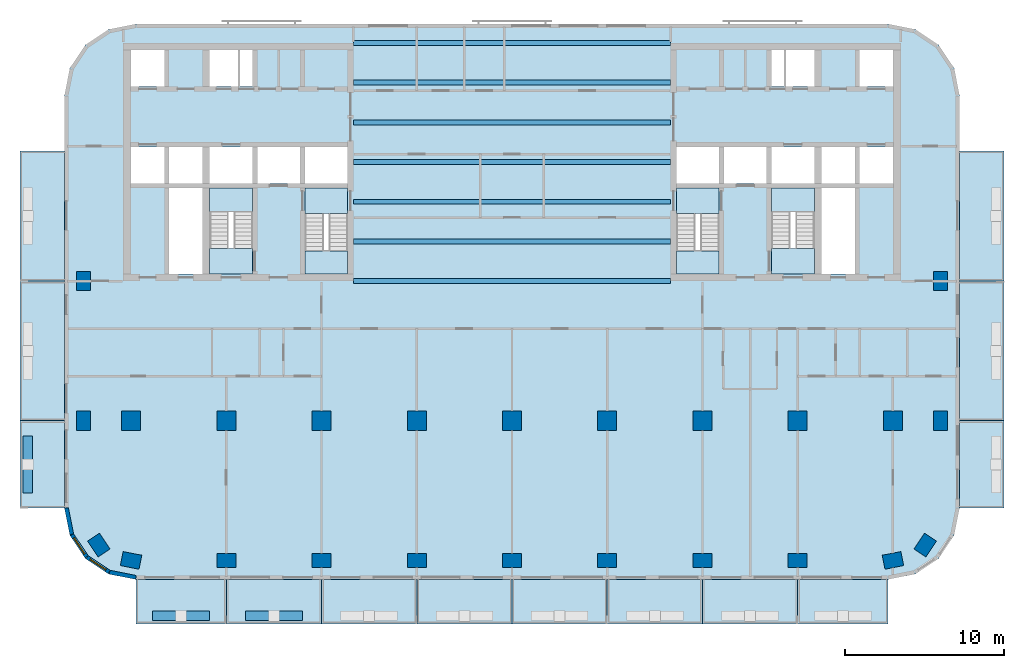
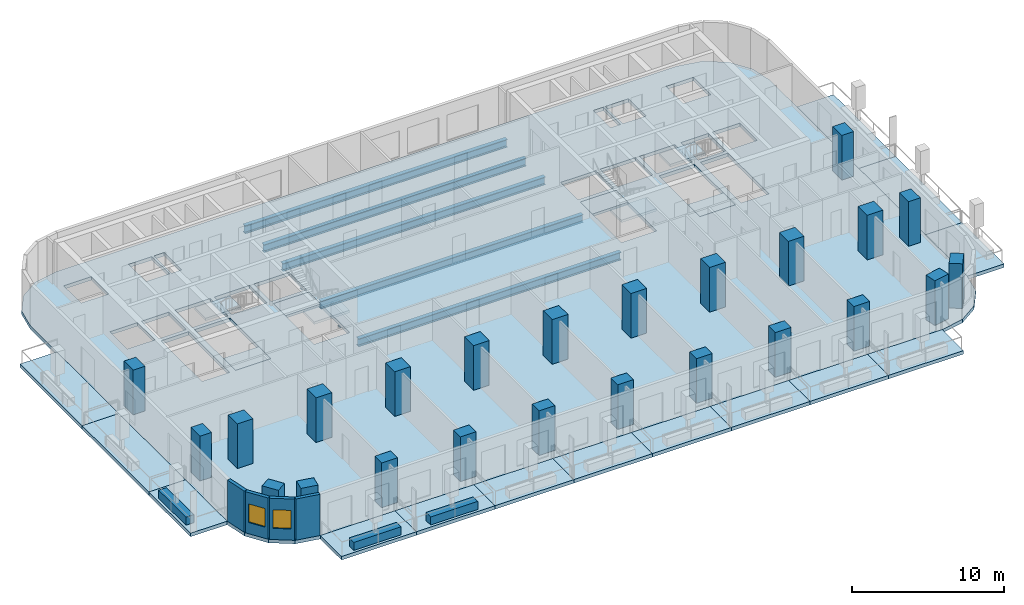
# One storey, part 1 of 11: 24 columns, 23 slabs, 7 beams, 7 walls, 2 windows, 2 openings, 4 elements without a shape of their own.
"""IFC4 building model written with IfcOpenShell, lengths in metres."""

from ifc_helpers import new_model, si_unit, direction, frame, frame_2d, origin, origin_2d, place, context, subcontext, project, spatial, polyline, rectangle, i_section, outline, extrude, material, layer, layer_set, material_profile, profile_set, type_object, element, fill, aggregate, save


model = new_model("IFC4")

# Units and contexts
model_context = context("Model", 3, precision=1e-05, world=origin(), true_north=direction((0.0, 1.0)))
body_context = subcontext(model_context, "Body", "Model", "MODEL_VIEW")
ifc_project = project(units=[si_unit("LENGTHUNIT", "METRE"), si_unit("AREAUNIT", "SQUARE_METRE"), si_unit("VOLUMEUNIT", "CUBIC_METRE"), si_unit("PLANEANGLEUNIT", "RADIAN"), si_unit("MASSUNIT", "GRAM", prefix="KILO")], contexts=[model_context])

# Site, building, storey
site_placement = place(None, origin())
site = spatial("IfcSite", under=ifc_project, at=site_placement, CompositionType="ELEMENT")
building_placement = place(site_placement, origin())
building = spatial("IfcBuilding", under=site, at=building_placement, Name="Torana Hotel and Residences", CompositionType="ELEMENT")
storey_placement = place(building_placement, frame((0.0, 0.0, 163.199951171875)))
storey = spatial("IfcBuildingStorey", under=building, at=storey_placement, Name="L42", CompositionType="ELEMENT", Elevation=163.199951171875)

# Columns
ifc_material_1 = material(Name="Concrete C70/85", Category="concrete")
ifc_material_profile_1 = material_profile(ifc_material_1, rectangle(XDim=1.199951171875, YDim=1.199951171875, at=origin_2d()), Name="RC 1200x1200")
ifc_profile_set_1 = profile_set([ifc_material_profile_1], Name="Concrete C70/85")
column_type_1 = type_object("IfcColumnType", Name="COLUMN RC 1200x1200 C70/85", PredefinedType="COLUMN", material=ifc_profile_set_1)
for number, where, z_axis, x_axis, name in (
    (1, (-24.0, -23.800048828125, 0.0), (0.0, 0.0, 1.0), (1.0, 0.0, 0.0), "Column L42"),
    (2, (-18.0, -23.800048828125, 0.0), (0.0, 0.0, 1.0), (1.0, 0.0, 0.0), "Column L42"),
    (3, (-12.0, -23.800048828125, 0.0), (0.0, 0.0, 1.0), (1.0, 0.0, 0.0), "Column L42"),
    (4, (-6.0, -23.800048828125, 0.0), (0.0, 0.0, 1.0), (1.0, 0.0, 0.0), "Column L42"),
    (5, (0.0, -23.800048828125, 0.0), (0.0, 0.0, 1.0), (1.0, 0.0, 0.0), "Column L42"),
    (6, (6.0, -23.800048828125, 0.0), (0.0, 0.0, 1.0), (1.0, 0.0, 0.0), "Column L42"),
    (7, (12.0, -23.800048828125, 0.0), (0.0, 0.0, 1.0), (1.0, 0.0, 0.0), "Column L42"),
    (8, (18.0, -23.800048828125, 0.0), (0.0, 0.0, 1.0), (1.0, 0.0, 0.0), "Column L42"),
    (9, (24.0, -23.800048828125, 0.0), (0.0, 0.0, 1.0), (1.0, 0.0, 0.0), "Column L42"),
):
    element("IfcColumn", number, at=place(storey_placement, frame(where, z_axis=z_axis, x_axis=x_axis)), inside=storey, type_object=column_type_1, Name=name, PredefinedType="COLUMN", context=body_context, shape_type="SweptSolid", body=[
        extrude(rectangle(XDim=1.199951171875, YDim=1.199951171875, at=origin_2d()), origin(), (0.0, 0.0, 1.0), 3.60009765625),
    ])
ifc_material_2 = material(Name="Concrete C70/85", Category="concrete")
ifc_material_profile_2 = material_profile(ifc_material_2, rectangle(XDim=1.199951171875, YDim=0.89990234375, at=origin_2d()), Name="RC 1200x900")
ifc_profile_set_2 = profile_set([ifc_material_profile_2], Name="Concrete C70/85")
column_type_2 = type_object("IfcColumnType", Name="COLUMN RC 1200x900 C70/85", PredefinedType="COLUMN", material=ifc_profile_set_2)
for number, where, z_axis, x_axis, name in (
    (10, (-27.0, -23.800048828125, 0.0), (0.0, 0.0, 1.0), (0.0, 1.0, 0.0), "Column L42"),
    (11, (-27.0, -15.0, 0.0), (0.0, 0.0, 1.0), (0.0, 1.0, 0.0), "Column L42"),
    (12, (-26.032958984375, -31.633056640625, 0.0), (0.0, 0.0, 1.0), (-0.555584744817, 0.831459915646, 0.0), "Column L42"),
    (13, (-24.0, -32.60009765625, 0.0), (0.0, 0.0, 1.0), (-0.980792089743, 0.195056086032, 0.0), "Column L42"),
    (14, (-18.0, -32.60009765625, 0.0), (0.0, 0.0, 1.0), (1.0, 0.0, 0.0), "Column L42"),
    (15, (-12.0, -32.60009765625, 0.0), (0.0, 0.0, 1.0), (1.0, 0.0, 0.0), "Column L42"),
    (16, (-6.0, -32.60009765625, 0.0), (0.0, 0.0, 1.0), (1.0, 0.0, 0.0), "Column L42"),
    (17, (0.0, -32.60009765625, 0.0), (0.0, 0.0, 1.0), (1.0, 0.0, 0.0), "Column L42"),
    (18, (6.0, -32.60009765625, 0.0), (0.0, 0.0, 1.0), (1.0, 0.0, 0.0), "Column L42"),
    (19, (12.0, -32.60009765625, 0.0), (0.0, 0.0, 1.0), (1.0, 0.0, 0.0), "Column L42"),
    (20, (18.0, -32.60009765625, 0.0), (0.0, 0.0, 1.0), (1.0, 0.0, 0.0), "Column L42"),
    (21, (24.0, -32.60009765625, 0.0), (0.0, 0.0, 1.0), (0.980792089743, 0.195056086032, 0.0), "Column L42"),
    (22, (26.032958984375, -31.633056640625, 0.0), (0.0, 0.0, 1.0), (0.555584744817, 0.831459915646, 0.0), "Column L42"),
    (23, (27.0, -23.800048828125, 0.0), (0.0, 0.0, 1.0), (0.0, 1.0, 0.0), "Column L42"),
    (24, (27.0, -15.0, 0.0), (0.0, 0.0, 1.0), (0.0, 1.0, 0.0), "Column L42"),
):
    element("IfcColumn", number, at=place(storey_placement, frame(where, z_axis=z_axis, x_axis=x_axis)), inside=storey, type_object=column_type_2, Name=name, PredefinedType="COLUMN", context=body_context, shape_type="SweptSolid", body=[
        extrude(rectangle(XDim=1.199951171875, YDim=0.89990234375, at=origin_2d()), origin(), (0.0, 0.0, 1.0), 3.60009765625),
    ])

# Beams
ifc_material_3 = material(Name="Steel S355", Category="steel")
ifc_material_profile_3 = material_profile(ifc_material_3, i_section(OverallWidth=0.311279296875, OverallDepth=0.6357421875, WebThickness=0.018310546875, FlangeThickness=0.031494140625, FilletRadius=0.0166015625, at=origin_2d()), Name="610x305x238 UB")
ifc_profile_set_3 = profile_set([ifc_material_profile_3], Name="Steel S355")
beam_type = type_object("IfcBeamType", Name="STEEL GIRDER 610x305x238 UB", PredefinedType="BEAM", material=ifc_profile_set_3)
for number, where, z_axis, x_axis, name in (
    (25, (-10.0, -15.0, -0.597900390625), (1.0, 0.0, 0.0), (0.0, 1.0, 0.0), "Floor girder"),
    (26, (-10.0, -12.5, -0.597900390625), (1.0, 0.0, 0.0), (0.0, 1.0, 0.0), "Floor girder"),
    (27, (-10.0, -10.0, -0.597900390625), (1.0, 0.0, 0.0), (0.0, 1.0, 0.0), "Floor girder"),
    (28, (-10.0, -7.5, -0.597900390625), (1.0, 0.0, 0.0), (0.0, 1.0, 0.0), "Floor girder"),
    (29, (-10.0, -5.0, -0.597900390625), (1.0, 0.0, 0.0), (0.0, 1.0, 0.0), "Floor girder"),
    (30, (-10.0, -2.5, -0.597900390625), (1.0, 0.0, 0.0), (0.0, 1.0, 0.0), "Floor girder"),
    (31, (-10.0, 0.0, -0.597900390625), (1.0, 0.0, 0.0), (0.0, 1.0, 0.0), "Floor girder"),
):
    element("IfcBeam", number, at=place(storey_placement, frame(where, z_axis=z_axis, x_axis=x_axis)), inside=storey, type_object=beam_type, Name=name, PredefinedType="BEAM", context=body_context, shape_type="SweptSolid", body=[
        extrude(i_section(OverallWidth=0.311279296875, OverallDepth=0.6357421875, WebThickness=0.018310546875, FlangeThickness=0.031494140625, FilletRadius=0.0166015625, at=origin_2d()), origin(), (0.0, 0.0, 1.0), 20.0),
    ])

# Slabs
ifc_material_4 = material(Name="Concrete C40/50", Category="concrete")
ifc_layer_1 = layer(ifc_material_4, 0.280029296875)
ifc_layer_set_1 = layer_set([ifc_layer_1], Name="BAL1 BALCONY SLAB 280")
slab_type_1 = type_object("IfcSlabType", Name="BAL1 BALCONY SLAB 280", PredefinedType="USERDEFINED", material=ifc_layer_set_1)
slab_1_placement = place(storey_placement, frame((0.0, 0.0, -0.280029296875)))
element("IfcSlab", 32, at=slab_1_placement, inside=storey, type_object=slab_type_1, Name="Balcony 01", ObjectType="BALCONY", PredefinedType="USERDEFINED", context=body_context, shape_type="SweptSolid", body=[
    extrude(outline(polyline([(-23.699951171875, -36.60009765625), (-18.0, -36.60009765625), (-18.0, -33.800048828125), (-23.699951171875, -33.800048828125), (-23.699951171875, -36.60009765625)])), origin(), (0.0, 0.0, 1.0), 0.280029296875),
])
slab_2_placement = place(storey_placement, frame((0.0, 0.0, -0.280029296875)))
element("IfcSlab", 33, at=slab_2_placement, inside=storey, type_object=slab_type_1, Name="Balcony 02", ObjectType="BALCONY", PredefinedType="USERDEFINED", context=body_context, shape_type="SweptSolid", body=[
    extrude(outline(polyline([(-18.0, -36.60009765625), (-12.0, -36.60009765625), (-12.0, -33.800048828125), (-18.0, -33.800048828125), (-18.0, -36.60009765625)])), origin(), (0.0, 0.0, 1.0), 0.280029296875),
])
slab_3_placement = place(storey_placement, frame((0.0, 0.0, -0.280029296875)))
element("IfcSlab", 34, at=slab_3_placement, inside=storey, type_object=slab_type_1, Name="Balcony 03", ObjectType="BALCONY", PredefinedType="USERDEFINED", context=body_context, shape_type="SweptSolid", body=[
    extrude(outline(polyline([(-12.0, -36.60009765625), (-6.0, -36.60009765625), (-6.0, -33.800048828125), (-12.0, -33.800048828125), (-12.0, -36.60009765625)])), origin(), (0.0, 0.0, 1.0), 0.280029296875),
])
slab_4_placement = place(storey_placement, frame((0.0, 0.0, -0.280029296875)))
element("IfcSlab", 35, at=slab_4_placement, inside=storey, type_object=slab_type_1, Name="Balcony 04", ObjectType="BALCONY", PredefinedType="USERDEFINED", context=body_context, shape_type="SweptSolid", body=[
    extrude(outline(polyline([(-6.0, -36.60009765625), (0.0, -36.60009765625), (0.0, -33.800048828125), (-6.0, -33.800048828125), (-6.0, -36.60009765625)])), origin(), (0.0, 0.0, 1.0), 0.280029296875),
])
slab_5_placement = place(storey_placement, frame((0.0, 0.0, -0.280029296875)))
element("IfcSlab", 36, at=slab_5_placement, inside=storey, type_object=slab_type_1, Name="Balcony 05", ObjectType="BALCONY", PredefinedType="USERDEFINED", context=body_context, shape_type="SweptSolid", body=[
    extrude(outline(polyline([(0.0, -36.60009765625), (6.0, -36.60009765625), (6.0, -33.800048828125), (0.0, -33.800048828125), (0.0, -36.60009765625)])), origin(), (0.0, 0.0, 1.0), 0.280029296875),
])
slab_6_placement = place(storey_placement, frame((0.0, 0.0, -0.280029296875)))
element("IfcSlab", 37, at=slab_6_placement, inside=storey, type_object=slab_type_1, Name="Balcony 06", ObjectType="BALCONY", PredefinedType="USERDEFINED", context=body_context, shape_type="SweptSolid", body=[
    extrude(outline(polyline([(6.0, -36.60009765625), (12.0, -36.60009765625), (12.0, -33.800048828125), (6.0, -33.800048828125), (6.0, -36.60009765625)])), origin(), (0.0, 0.0, 1.0), 0.280029296875),
])
slab_7_placement = place(storey_placement, frame((0.0, 0.0, -0.280029296875)))
element("IfcSlab", 38, at=slab_7_placement, inside=storey, type_object=slab_type_1, Name="Balcony 07", ObjectType="BALCONY", PredefinedType="USERDEFINED", context=body_context, shape_type="SweptSolid", body=[
    extrude(outline(polyline([(12.0, -36.60009765625), (18.0, -36.60009765625), (18.0, -33.800048828125), (12.0, -33.800048828125), (12.0, -36.60009765625)])), origin(), (0.0, 0.0, 1.0), 0.280029296875),
])
slab_8_placement = place(storey_placement, frame((0.0, 0.0, -0.280029296875)))
element("IfcSlab", 39, at=slab_8_placement, inside=storey, type_object=slab_type_1, Name="Balcony 08", ObjectType="BALCONY", PredefinedType="USERDEFINED", context=body_context, shape_type="SweptSolid", body=[
    extrude(outline(polyline([(18.0, -36.60009765625), (23.699951171875, -36.60009765625), (23.699951171875, -33.800048828125), (18.0, -33.800048828125), (18.0, -36.60009765625)])), origin(), (0.0, 0.0, 1.0), 0.280029296875),
])
slab_9_placement = place(storey_placement, frame((0.0, 0.0, -0.280029296875)))
element("IfcSlab", 40, at=slab_9_placement, inside=storey, type_object=slab_type_1, Name="Balcony 09", ObjectType="BALCONY", PredefinedType="USERDEFINED", context=body_context, shape_type="SweptSolid", body=[
    extrude(outline(polyline([(-31.0, -29.300048828125), (-28.199951171875, -29.300048828125), (-28.199951171875, -23.800048828125), (-31.0, -23.800048828125), (-31.0, -29.300048828125)])), origin(), (0.0, 0.0, 1.0), 0.280029296875),
])
slab_10_placement = place(storey_placement, frame((0.0, 0.0, -0.280029296875)))
element("IfcSlab", 41, at=slab_10_placement, inside=storey, type_object=slab_type_1, Name="Balcony 10", ObjectType="BALCONY", PredefinedType="USERDEFINED", context=body_context, shape_type="SweptSolid", body=[
    extrude(outline(polyline([(-31.0, -23.800048828125), (-28.199951171875, -23.800048828125), (-28.199951171875, -15.0), (-31.0, -15.0), (-31.0, -23.800048828125)])), origin(), (0.0, 0.0, 1.0), 0.280029296875),
])
slab_11_placement = place(storey_placement, frame((0.0, 0.0, -0.280029296875)))
element("IfcSlab", 42, at=slab_11_placement, inside=storey, type_object=slab_type_1, Name="Balcony 11", ObjectType="BALCONY", PredefinedType="USERDEFINED", context=body_context, shape_type="SweptSolid", body=[
    extrude(outline(polyline([(-31.0, -15.0), (-28.199951171875, -15.0), (-28.199951171875, -6.800048828125), (-31.0, -6.800048828125), (-31.0, -15.0)])), origin(), (0.0, 0.0, 1.0), 0.280029296875),
])
slab_12_placement = place(storey_placement, frame((0.0, 0.0, -0.280029296875)))
element("IfcSlab", 43, at=slab_12_placement, inside=storey, type_object=slab_type_1, Name="Balcony 12", ObjectType="BALCONY", PredefinedType="USERDEFINED", context=body_context, shape_type="SweptSolid", body=[
    extrude(outline(polyline([(28.199951171875, -29.300048828125), (31.0, -29.300048828125), (31.0, -23.800048828125), (28.199951171875, -23.800048828125), (28.199951171875, -29.300048828125)])), origin(), (0.0, 0.0, 1.0), 0.280029296875),
])
slab_13_placement = place(storey_placement, frame((0.0, 0.0, -0.280029296875)))
element("IfcSlab", 44, at=slab_13_placement, inside=storey, type_object=slab_type_1, Name="Balcony 13", ObjectType="BALCONY", PredefinedType="USERDEFINED", context=body_context, shape_type="SweptSolid", body=[
    extrude(outline(polyline([(28.199951171875, -23.800048828125), (31.0, -23.800048828125), (31.0, -15.0), (28.199951171875, -15.0), (28.199951171875, -23.800048828125)])), origin(), (0.0, 0.0, 1.0), 0.280029296875),
])
slab_14_placement = place(storey_placement, frame((0.0, 0.0, -0.280029296875)))
element("IfcSlab", 45, at=slab_14_placement, inside=storey, type_object=slab_type_1, Name="Balcony 14", ObjectType="BALCONY", PredefinedType="USERDEFINED", context=body_context, shape_type="SweptSolid", body=[
    extrude(outline(polyline([(28.199951171875, -15.0), (31.0, -15.0), (31.0, -6.800048828125), (28.199951171875, -6.800048828125), (28.199951171875, -15.0)])), origin(), (0.0, 0.0, 1.0), 0.280029296875),
])
ifc_material_5 = material(Name="Concrete C40/50", Category="concrete")
ifc_layer_2 = layer(ifc_material_5, 0.280029296875)
ifc_layer_set_2 = layer_set([ifc_layer_2], Name="FLOOR SLAB PT 280")
slab_type_2 = type_object("IfcSlabType", Name="FLOOR SLAB PT 280", PredefinedType="FLOOR", material=ifc_layer_set_2)
slab_15_placement = place(storey_placement, frame((0.0, 0.0, -0.280029296875)))
element("IfcSlab", 46, at=slab_15_placement, inside=storey, type_object=slab_type_2, Name="Floor slab", PredefinedType="FLOOR", context=body_context, shape_type="SweptSolid", body=[
    extrude(outline(polyline([(28.199951171875, -3.300048828125), (27.857421875, -1.577880859375), (26.882080078125, -0.117919921875), (25.422119140625, 0.857421875), (23.699951171875, 1.199951171875), (-23.699951171875, 1.199951171875), (-25.422119140625, 0.857421875), (-26.882080078125, -0.117919921875), (-27.857421875, -1.577880859375), (-28.199951171875, -3.300048828125), (-28.199951171875, -29.300048828125), (-27.857421875, -31.022216796875), (-26.882080078125, -32.48193359375), (-25.422119140625, -33.45751953125), (-23.699951171875, -33.800048828125), (23.699951171875, -33.800048828125), (25.422119140625, -33.45751953125), (26.882080078125, -32.48193359375), (27.857421875, -31.022216796875), (28.199951171875, -29.300048828125), (28.199951171875, -3.300048828125)]), holes=[polyline([(-13.050048828125, -14.550048828125), (-10.35009765625, -14.550048828125), (-10.35009765625, -9.14990234375), (-13.050048828125, -9.14990234375), (-13.050048828125, -14.550048828125)]), polyline([(-19.050048828125, -14.550048828125), (-16.35009765625, -14.550048828125), (-16.35009765625, -9.14990234375), (-19.050048828125, -9.14990234375), (-19.050048828125, -14.550048828125)]), polyline([(-17.125, -2.75), (-16.35009765625, -2.75), (-16.35009765625, -0.449951171875), (-17.125, -0.449951171875), (-17.125, -2.75)]), polyline([(-19.050048828125, -2.75), (-17.27490234375, -2.75), (-17.27490234375, -0.449951171875), (-19.050048828125, -0.449951171875), (-19.050048828125, -2.75)]), polyline([(-21.60009765625, -8.85009765625), (-19.5, -8.85009765625), (-19.5, -6.550048828125), (-21.60009765625, -6.550048828125), (-21.60009765625, -8.85009765625)]), polyline([(-24.0, -2.75), (-21.89990234375, -2.75), (-21.89990234375, -0.449951171875), (-24.0, -0.449951171875), (-24.0, -2.75)]), polyline([(-24.0, -8.85009765625), (-21.89990234375, -8.85009765625), (-21.89990234375, -6.550048828125), (-24.0, -6.550048828125), (-24.0, -8.85009765625)]), polyline([(-13.050048828125, -8.85009765625), (-10.35009765625, -8.85009765625), (-10.35009765625, -6.550048828125), (-13.050048828125, -6.550048828125), (-13.050048828125, -8.85009765625)]), polyline([(-16.050048828125, -8.85009765625), (-13.35009765625, -8.85009765625), (-13.35009765625, -6.550048828125), (-16.050048828125, -6.550048828125), (-16.050048828125, -8.85009765625)]), polyline([(-19.050048828125, -8.85009765625), (-16.35009765625, -8.85009765625), (-16.35009765625, -6.550048828125), (-19.050048828125, -6.550048828125), (-19.050048828125, -8.85009765625)]), polyline([(-21.60009765625, -14.550048828125), (-19.5, -14.550048828125), (-19.5, -9.14990234375), (-21.60009765625, -9.14990234375), (-21.60009765625, -14.550048828125)]), polyline([(10.35009765625, -14.550048828125), (13.050048828125, -14.550048828125), (13.050048828125, -9.14990234375), (10.35009765625, -9.14990234375), (10.35009765625, -14.550048828125)]), polyline([(16.35009765625, -14.550048828125), (19.050048828125, -14.550048828125), (19.050048828125, -9.14990234375), (16.35009765625, -9.14990234375), (16.35009765625, -14.550048828125)]), polyline([(16.35009765625, -2.75), (17.125, -2.75), (17.125, -0.449951171875), (16.35009765625, -0.449951171875), (16.35009765625, -2.75)]), polyline([(17.27490234375, -2.75), (19.050048828125, -2.75), (19.050048828125, -0.449951171875), (17.27490234375, -0.449951171875), (17.27490234375, -2.75)]), polyline([(19.5, -8.85009765625), (21.60009765625, -8.85009765625), (21.60009765625, -6.550048828125), (19.5, -6.550048828125), (19.5, -8.85009765625)]), polyline([(21.89990234375, -2.75), (24.0, -2.75), (24.0, -0.449951171875), (21.89990234375, -0.449951171875), (21.89990234375, -2.75)]), polyline([(21.89990234375, -8.85009765625), (24.0, -8.85009765625), (24.0, -6.550048828125), (21.89990234375, -6.550048828125), (21.89990234375, -8.85009765625)]), polyline([(10.35009765625, -8.85009765625), (13.050048828125, -8.85009765625), (13.050048828125, -6.550048828125), (10.35009765625, -6.550048828125), (10.35009765625, -8.85009765625)]), polyline([(13.35009765625, -8.85009765625), (16.050048828125, -8.85009765625), (16.050048828125, -6.550048828125), (13.35009765625, -6.550048828125), (13.35009765625, -8.85009765625)]), polyline([(16.35009765625, -8.85009765625), (19.050048828125, -8.85009765625), (19.050048828125, -6.550048828125), (16.35009765625, -6.550048828125), (16.35009765625, -8.85009765625)]), polyline([(19.5, -14.550048828125), (21.60009765625, -14.550048828125), (21.60009765625, -9.14990234375), (19.5, -9.14990234375), (19.5, -14.550048828125)])]), origin(), (0.0, 0.0, 1.0), 0.280029296875),
])

# Stair, slabs
ifc_material_6 = material(Name="Concrete C40/50 precast", Category="concrete")
stair_type_1 = type_object("IfcStairType", Name="STAIR ST1 HALF TURN 1200", PredefinedType="HALF_TURN_STAIR", material=ifc_material_6)
stair_1_placement = place(storey_placement, origin())
stair_1 = element("IfcStair", 47, at=stair_1_placement, inside=storey, type_object=stair_type_1, Name="Stair ST1 L42", PredefinedType="HALF_TURN_STAIR")
ifc_material_7 = material(Name="Concrete C40/50 precast", Category="concrete")
ifc_layer_3 = layer(ifc_material_7, 0.199951171875)
ifc_layer_set_3 = layer_set([ifc_layer_3], Name="STAIR LANDING 200")
slab_type_3 = type_object("IfcSlabType", Name="STAIR LANDING 200", PredefinedType="LANDING", material=ifc_layer_set_3)
slab_16_placement = place(storey_placement, frame((0.0, 0.0, 1.60009765625)))
slab_16 = element("IfcSlab", 48, at=slab_16_placement, type_object=slab_type_3, Name="ST1 landing 1", PredefinedType="LANDING", context=body_context, shape_type="SweptSolid", body=[
    extrude(outline(polyline([(-13.050048828125, -14.550048828125), (-10.35009765625, -14.550048828125), (-10.35009765625, -13.090087890625), (-13.050048828125, -13.090087890625), (-13.050048828125, -14.550048828125)])), origin(), (0.0, 0.0, 1.0), 0.199951171875),
])
slab_17_placement = place(storey_placement, frame((0.0, 0.0, -0.199951171875)))
slab_17 = element("IfcSlab", 49, at=slab_17_placement, type_object=slab_type_3, Name="ST1 landing 2", PredefinedType="LANDING", context=body_context, shape_type="SweptSolid", body=[
    extrude(outline(polyline([(-13.050048828125, -10.75), (-10.35009765625, -10.75), (-10.35009765625, -9.14990234375), (-13.050048828125, -9.14990234375), (-13.050048828125, -10.75)])), origin(), (0.0, 0.0, 1.0), 0.199951171875),
])
aggregate(stair_1, [slab_16, slab_17])

ifc_material_8 = material(Name="Concrete C40/50 precast", Category="concrete")
stair_type_2 = type_object("IfcStairType", Name="STAIR ST2 HALF TURN 1200", PredefinedType="HALF_TURN_STAIR", material=ifc_material_8)
stair_2_placement = place(storey_placement, origin())
stair_2 = element("IfcStair", 50, at=stair_2_placement, inside=storey, type_object=stair_type_2, Name="Stair ST2 L42", PredefinedType="HALF_TURN_STAIR")
slab_18_placement = place(storey_placement, frame((0.0, 0.0, 1.60009765625)))
slab_18 = element("IfcSlab", 51, at=slab_18_placement, type_object=slab_type_3, Name="ST2 landing 1", PredefinedType="LANDING", context=body_context, shape_type="SweptSolid", body=[
    extrude(outline(polyline([(-19.050048828125, -10.610107421875), (-16.35009765625, -10.610107421875), (-16.35009765625, -9.14990234375), (-19.050048828125, -9.14990234375), (-19.050048828125, -10.610107421875)])), origin(), (0.0, 0.0, 1.0), 0.199951171875),
])
slab_19_placement = place(storey_placement, frame((0.0, 0.0, -0.199951171875)))
slab_19 = element("IfcSlab", 52, at=slab_19_placement, type_object=slab_type_3, Name="ST2 landing 2", PredefinedType="LANDING", context=body_context, shape_type="SweptSolid", body=[
    extrude(outline(polyline([(-19.050048828125, -14.550048828125), (-16.35009765625, -14.550048828125), (-16.35009765625, -12.949951171875), (-19.050048828125, -12.949951171875), (-19.050048828125, -14.550048828125)])), origin(), (0.0, 0.0, 1.0), 0.199951171875),
])
aggregate(stair_2, [slab_18, slab_19])

ifc_material_9 = material(Name="Concrete C40/50 precast", Category="concrete")
stair_type_3 = type_object("IfcStairType", Name="STAIR ST3 HALF TURN 1200", PredefinedType="HALF_TURN_STAIR", material=ifc_material_9)
stair_3_placement = place(storey_placement, origin())
stair_3 = element("IfcStair", 53, at=stair_3_placement, inside=storey, type_object=stair_type_3, Name="Stair ST3 L42", PredefinedType="HALF_TURN_STAIR")
slab_20_placement = place(storey_placement, frame((0.0, 0.0, 1.60009765625)))
slab_20 = element("IfcSlab", 54, at=slab_20_placement, type_object=slab_type_3, Name="ST3 landing 1", PredefinedType="LANDING", context=body_context, shape_type="SweptSolid", body=[
    extrude(outline(polyline([(10.35009765625, -14.550048828125), (13.050048828125, -14.550048828125), (13.050048828125, -13.090087890625), (10.35009765625, -13.090087890625), (10.35009765625, -14.550048828125)])), origin(), (0.0, 0.0, 1.0), 0.199951171875),
])
slab_21_placement = place(storey_placement, frame((0.0, 0.0, -0.199951171875)))
slab_21 = element("IfcSlab", 55, at=slab_21_placement, type_object=slab_type_3, Name="ST3 landing 2", PredefinedType="LANDING", context=body_context, shape_type="SweptSolid", body=[
    extrude(outline(polyline([(10.35009765625, -10.75), (13.050048828125, -10.75), (13.050048828125, -9.14990234375), (10.35009765625, -9.14990234375), (10.35009765625, -10.75)])), origin(), (0.0, 0.0, 1.0), 0.199951171875),
])
aggregate(stair_3, [slab_20, slab_21])

ifc_material_10 = material(Name="Concrete C40/50 precast", Category="concrete")
stair_type_4 = type_object("IfcStairType", Name="STAIR ST4 HALF TURN 1200", PredefinedType="HALF_TURN_STAIR", material=ifc_material_10)
stair_4_placement = place(storey_placement, origin())
stair_4 = element("IfcStair", 56, at=stair_4_placement, inside=storey, type_object=stair_type_4, Name="Stair ST4 L42", PredefinedType="HALF_TURN_STAIR")
slab_22_placement = place(storey_placement, frame((0.0, 0.0, 1.60009765625)))
slab_22 = element("IfcSlab", 57, at=slab_22_placement, type_object=slab_type_3, Name="ST4 landing 1", PredefinedType="LANDING", context=body_context, shape_type="SweptSolid", body=[
    extrude(outline(polyline([(16.35009765625, -10.610107421875), (19.050048828125, -10.610107421875), (19.050048828125, -9.14990234375), (16.35009765625, -9.14990234375), (16.35009765625, -10.610107421875)])), origin(), (0.0, 0.0, 1.0), 0.199951171875),
])
slab_23_placement = place(storey_placement, frame((0.0, 0.0, -0.199951171875)))
slab_23 = element("IfcSlab", 58, at=slab_23_placement, type_object=slab_type_3, Name="ST4 landing 2", PredefinedType="LANDING", context=body_context, shape_type="SweptSolid", body=[
    extrude(outline(polyline([(16.35009765625, -14.550048828125), (19.050048828125, -14.550048828125), (19.050048828125, -12.949951171875), (16.35009765625, -12.949951171875), (16.35009765625, -14.550048828125)])), origin(), (0.0, 0.0, 1.0), 0.199951171875),
])
aggregate(stair_4, [slab_22, slab_23])

# Wall
ifc_material_11 = material(Name="Black aluminium composite panel", Category="aluminium")
ifc_layer_4 = layer(ifc_material_11, 0.00390625, Name="Cladding", Category="cladding")
ifc_material_12 = material(Name="Ventilated air cavity")
ifc_layer_5 = layer(ifc_material_12, 0.0400390625, Name="Ventilated cavity", Category="cavity")
ifc_material_13 = material(Name="Mineral wool insulation")
ifc_layer_6 = layer(ifc_material_13, 0.090087890625, Name="Insulation", Category="insulation")
ifc_material_14 = material(Name="Steel S280GD", Category="steel")
ifc_layer_7 = layer(ifc_material_14, 0.092041015625, Name="Steel stud frame", Category="structure")
ifc_material_15 = material(Name="Fire rated plasterboard")
ifc_layer_8 = layer(ifc_material_15, 0.011962890625, Name="Inner board", Category="finish")
ifc_layer_9 = layer(ifc_material_15, 0.011962890625, Name="Second board", Category="finish")
ifc_layer_set_4 = layer_set([ifc_layer_4, ifc_layer_5, ifc_layer_6, ifc_layer_7, ifc_layer_8, ifc_layer_9], Name="EW1 EXTERNAL WALL BLACK METAL CLAD 250")
wall_type_1 = type_object("IfcWallType", Name="EW1 EXTERNAL WALL BLACK METAL CLAD 250", PredefinedType="SOLIDWALL", material=ifc_layer_set_4)
wall_1_placement = place(storey_placement, frame((-28.072509765625, -29.2998046875, 0.0), z_axis=(0.0, 0.0, 1.0), x_axis=(0.194999110559, -0.980803419081, 0.0)))
element("IfcWall", 59, at=wall_1_placement, inside=storey, type_object=wall_type_1, Name="External wall L42 e0.10", PredefinedType="SOLIDWALL", context=body_context, shape_type="SweptSolid", body=[
    extrude(rectangle(XDim=1.681396484375, YDim=0.25, at=frame_2d((0.8408203125, 0.0))), origin(), (0.0, 0.0, 1.0), 3.320068359375),
])

# Wall, opening, window
wall_2_placement = place(storey_placement, frame((-27.725830078125, -30.993896484375, 0.0), z_axis=(0.0, 0.0, 1.0), x_axis=(0.55555029066, -0.831482937015, 0.0)))
wall_2 = element("IfcWall", 60, at=wall_2_placement, inside=storey, type_object=wall_type_1, Name="External wall L42 e0.11", PredefinedType="SOLIDWALL", context=body_context, shape_type="SweptSolid", body=[
    extrude(rectangle(XDim=1.65625, YDim=0.25, at=frame_2d((0.828125, 0.0))), origin(), (0.0, 0.0, 1.0), 3.320068359375),
])
opening_1_placement = place(wall_2_placement, frame((0.228271484375, 0.0, 0.89990234375)))
opening_1 = element("IfcOpeningElement", 61, at=opening_1_placement, cuts=wall_2, Name="Opening W5", PredefinedType="OPENING", context=body_context, shape_type="SweptSolid", body=[
    extrude(rectangle(XDim=1.199951171875, YDim=1.5, at=frame_2d((0.60009765625, 0.75))), frame((0.0, 0.135009765625, 0.0), z_axis=(0.0, -1.0, 0.0), x_axis=(1.0, 0.0, 0.0)), (0.0, 0.0, 1.0), 0.27001953125),
])
ifc_material_16 = material(Name="Dark glass in black aluminium frame", Category="aluminium")
window_type = type_object("IfcWindowType", Name="W5 CORNER FACET WINDOW 1200x1500", PartitioningType="SINGLE_PANEL", PredefinedType="WINDOW", material=ifc_material_16)
window_1_placement = place(opening_1_placement, origin())
window_1 = element("IfcWindow", 62, at=window_1_placement, inside=storey, type_object=window_type, Name="Window L42 e0.11", OverallHeight=1.5, OverallWidth=1.199951171875, PartitioningType="SINGLE_PANEL", PredefinedType="WINDOW", context=body_context, shape_type="SweptSolid", body=[
    extrude(rectangle(XDim=1.199951171875, YDim=1.5, at=frame_2d((0.60009765625, 0.75))), frame((0.0, 0.030029296875, 0.0), z_axis=(0.0, -1.0, 0.0), x_axis=(1.0, 0.0, 0.0)), (0.0, 0.0, 1.0), 0.06005859375),
])
fill(opening_1, window_1)

wall_3_placement = place(storey_placement, frame((-26.771240234375, -32.40576171875, 0.0), z_axis=(0.0, 0.0, 1.0), x_axis=(0.831482937015, -0.55555029066, 0.0)))
wall_3 = element("IfcWall", 63, at=wall_3_placement, inside=storey, type_object=wall_type_1, Name="External wall L42 e0.12", PredefinedType="SOLIDWALL", context=body_context, shape_type="SweptSolid", body=[
    extrude(rectangle(XDim=1.65625, YDim=0.25, at=frame_2d((0.828125, 0.0))), origin(), (0.0, 0.0, 1.0), 3.320068359375),
])
opening_2_placement = place(wall_3_placement, frame((0.228271484375, 0.0, 0.89990234375)))
opening_2 = element("IfcOpeningElement", 64, at=opening_2_placement, cuts=wall_3, Name="Opening W5", PredefinedType="OPENING", context=body_context, shape_type="SweptSolid", body=[
    extrude(rectangle(XDim=1.199951171875, YDim=1.5, at=frame_2d((0.60009765625, 0.75))), frame((0.0, 0.135009765625, 0.0), z_axis=(0.0, -1.0, 0.0), x_axis=(1.0, 0.0, 0.0)), (0.0, 0.0, 1.0), 0.27001953125),
])
window_2_placement = place(opening_2_placement, origin())
window_2 = element("IfcWindow", 65, at=window_2_placement, inside=storey, type_object=window_type, Name="Window L42 e0.12", OverallHeight=1.5, OverallWidth=1.199951171875, PartitioningType="SINGLE_PANEL", PredefinedType="WINDOW", context=body_context, shape_type="SweptSolid", body=[
    extrude(rectangle(XDim=1.199951171875, YDim=1.5, at=frame_2d((0.60009765625, 0.75))), frame((0.0, 0.030029296875, 0.0), z_axis=(0.0, -1.0, 0.0), x_axis=(1.0, 0.0, 0.0)), (0.0, 0.0, 1.0), 0.06005859375),
])
fill(opening_2, window_2)

# Walls
wall_4_placement = place(storey_placement, frame((-25.348876953125, -33.344482421875, 0.0), z_axis=(0.0, 0.0, 1.0), x_axis=(0.980775640221, -0.19513878023, 0.0)))
element("IfcWall", 66, at=wall_4_placement, inside=storey, type_object=wall_type_1, Name="External wall L42 e0.13", PredefinedType="SOLIDWALL", context=body_context, shape_type="SweptSolid", body=[
    extrude(rectangle(XDim=1.681396484375, YDim=0.25, at=frame_2d((0.8408203125, 0.0))), origin(), (0.0, 0.0, 1.0), 3.320068359375),
])
ifc_material_17 = material(Name="Concrete C40/50 precast", Category="concrete")
ifc_layer_10 = layer(ifc_material_17, 0.10009765625, Name="Planter shell", Category="structure")
ifc_material_18 = material(Name="Root resistant membrane")
ifc_layer_11 = layer(ifc_material_18, 0.00390625, Name="Waterproofing membrane", Category="membrane")
ifc_material_19 = material(Name="Drainage board with filter fleece")
ifc_layer_12 = layer(ifc_material_19, 0.02001953125, Name="Drainage board", Category="drainage")
ifc_material_20 = material(Name="Growing medium")
ifc_layer_13 = layer(ifc_material_20, 0.47607421875, Name="Planting substrate", Category="soil")
ifc_layer_set_5 = layer_set([ifc_layer_10, ifc_layer_11, ifc_layer_12, ifc_layer_13], Name="PL1 BALCONY PLANTER 600")
wall_type_2 = type_object("IfcWallType", Name="PL1 BALCONY PLANTER 600", PredefinedType="USERDEFINED", material=ifc_layer_set_5)
wall_5_placement = place(storey_placement, frame((-19.050048828125, -36.10009765625, 0.0), z_axis=(0.0, 0.0, 1.0), x_axis=(-1.0, 0.0, 0.0)))
element("IfcWall", 67, at=wall_5_placement, inside=storey, type_object=wall_type_2, Name="Planter 01", ObjectType="PLANTER", PredefinedType="USERDEFINED", context=body_context, shape_type="SweptSolid", body=[
    extrude(rectangle(XDim=3.599853515625, YDim=0.60009765625, at=frame_2d((1.7998046875, 0.0))), origin(), (0.0, 0.0, 1.0), 0.650146484375),
])
for number, where, z_axis, x_axis, name in (
    (68, (-13.199951171875, -36.10009765625, 0.0), (0.0, 0.0, 1.0), (-1.0, 0.0, 0.0), "Planter 02"),
    (69, (-30.5, -28.35009765625, 0.0), (0.0, 0.0, 1.0), (0.0, 1.0, 0.0), "Planter 09"),
):
    element("IfcWall", number, at=place(storey_placement, frame(where, z_axis=z_axis, x_axis=x_axis)), inside=storey, type_object=wall_type_2, Name=name, ObjectType="PLANTER", PredefinedType="USERDEFINED", context=body_context, shape_type="SweptSolid", body=[
        extrude(rectangle(XDim=3.60009765625, YDim=0.60009765625, at=frame_2d((1.800048828125, 0.0))), origin(), (0.0, 0.0, 1.0), 0.650146484375),
    ])

save(model, "model.ifc")
